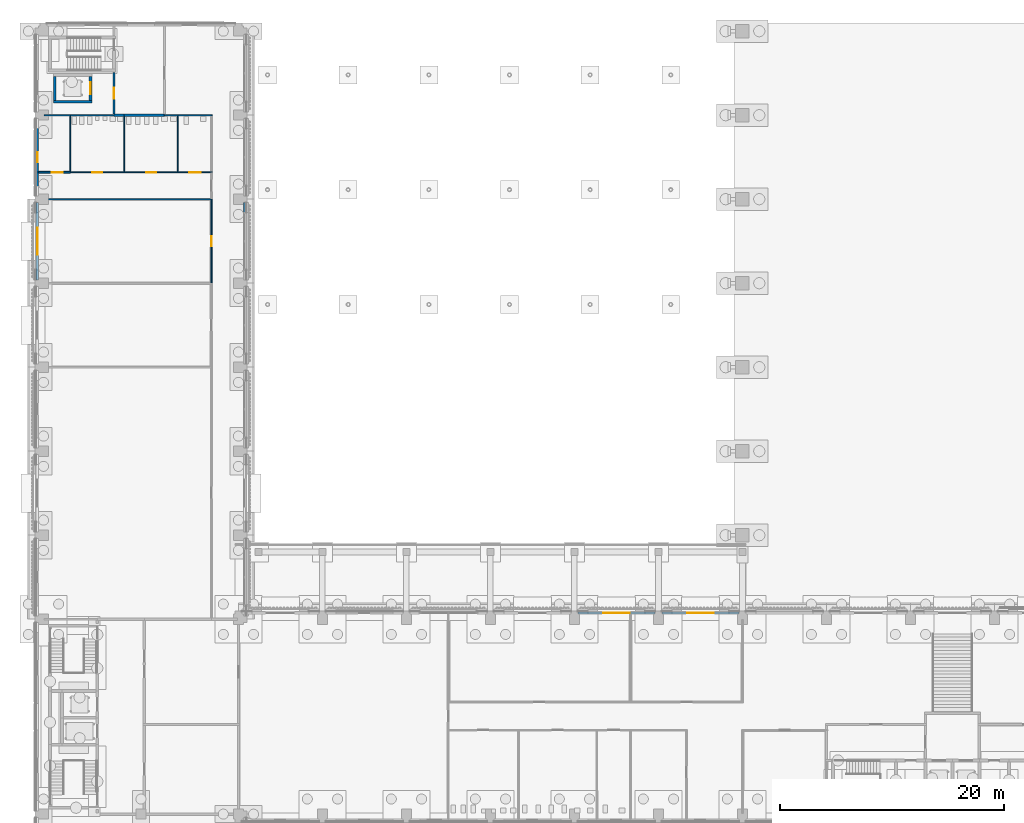
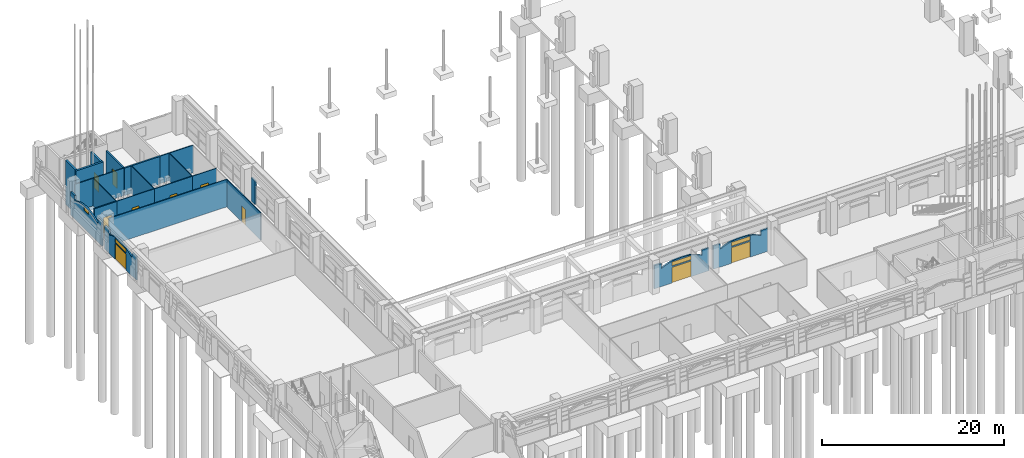
# One storey, part 38 of 99: 24 walls, 10 doors, 4 windows, 14 openings.
"""IFC4 building model written with IfcOpenShell, lengths in metres."""

from ifc_helpers import new_model, si_unit, direction, frame, frame_2d, origin, place, context, subcontext, project, spatial, polyline, rectangle, outline, extrude, material, layer, layer_set, type_object, element, fill, save


model = new_model("IFC4")

# Units and contexts
model_context = context("Model", 3, precision=1e-05, world=origin(), true_north=direction((0.0, 1.0)))
body_context = subcontext(model_context, "Body", "Model", "MODEL_VIEW")
ifc_project = project(units=[si_unit("LENGTHUNIT", "METRE"), si_unit("AREAUNIT", "SQUARE_METRE"), si_unit("VOLUMEUNIT", "CUBIC_METRE"), si_unit("PLANEANGLEUNIT", "RADIAN"), si_unit("MASSUNIT", "GRAM", prefix="KILO")], contexts=[model_context])

# Site, building, storey
site_placement = place(None, origin())
site = spatial("IfcSite", under=ifc_project, at=site_placement, CompositionType="ELEMENT")
building_placement = place(site_placement, origin())
building = spatial("IfcBuilding", under=site, at=building_placement, Name="Cour d'Honneur Mobility Palace", CompositionType="ELEMENT")
storey_placement = place(building_placement, origin())
storey = spatial("IfcBuildingStorey", under=building, at=storey_placement, Name="L00", CompositionType="ELEMENT", Elevation=0.0)

# Wall, openings, window, door
ifc_material_1 = material(Name="Concrete C40", Category="concrete")
ifc_layer_1 = layer(ifc_material_1, 0.199951171875)
ifc_layer_set_1 = layer_set([ifc_layer_1], Name="Concrete C40")
wall_type_1 = type_object("IfcWallType", Name="Arch infill panel", PredefinedType="SOLIDWALL", material=ifc_layer_set_1)
wall_1_placement = place(storey_placement, frame((62.10009765625, 62.949951171875, 0.0), z_axis=(0.0, 0.0, 1.0), x_axis=(-1.0, 0.0, 0.0)))
wall_1 = element("IfcWall", 1, at=wall_1_placement, inside=storey, type_object=wall_type_1, Name="Arch infill panel IP-75", PredefinedType="SOLIDWALL", context=body_context, shape_type="SweptSolid", body=[
    extrude(outline(polyline([(0.0, 0.0), (6.900146484375, 0.0), (6.89990234375, 3.10009765625), (6.001953125, 3.10009765625), (6.0, 2.39990234375), (5.68115234375, 2.560302734375), (5.362548828125, 2.69482421875), (5.043701171875, 2.805908203125), (4.72509765625, 2.895263671875), (4.40625, 2.96337890625), (4.08740234375, 3.01171875), (3.768798828125, 3.04052734375), (3.449951171875, 3.050048828125), (3.13134765625, 3.04052734375), (2.8125, 3.01171875), (2.49365234375, 2.96337890625), (2.175048828125, 2.895263671875), (1.856201171875, 2.805908203125), (1.53759765625, 2.69482421875), (1.21875, 2.560302734375), (0.89990234375, 2.39990234375), (0.89794921875, 3.10009765625), (0.0, 3.10009765625), (0.0, 0.0)])), frame((0.0, 0.10009765625, 0.0), z_axis=(0.0, -1.0, 0.0), x_axis=(1.0, 0.0, 0.0)), (0.0, 0.0, 1.0), 0.199951171875),
])
opening_1_placement = place(wall_1_placement, frame((2.25, 0.0, 0.0)))
opening_1 = element("IfcOpeningElement", 2, at=opening_1_placement, cuts=wall_1, Name="Opening D2-4", PredefinedType="OPENING", context=body_context, shape_type="SweptSolid", body=[
    extrude(rectangle(XDim=2.39990234375, YDim=2.10009765625, at=frame_2d((1.199951171875, 1.050048828125))), frame((0.0, 0.10986328125, 0.0), z_axis=(0.0, -1.0, 0.0), x_axis=(1.0, 0.0, 0.0)), (0.0, 0.0, 1.0), 0.219970703125),
])
opening_2_placement = place(wall_1_placement, frame((2.25, 0.0, 2.25)))
opening_2 = element("IfcOpeningElement", 3, at=opening_2_placement, cuts=wall_1, Name="Opening WO-8", PredefinedType="OPENING", context=body_context, shape_type="SweptSolid", body=[
    extrude(rectangle(XDim=2.39990234375, YDim=0.56298828125, at=frame_2d((1.199951171875, 0.281494140625))), frame((0.0, 0.10986328125, 0.0), z_axis=(0.0, -1.0, 0.0), x_axis=(1.0, 0.0, 0.0)), (0.0, 0.0, 1.0), 0.219970703125),
])
ifc_material_2 = material(Name="Aluminium frame and glass", Category="aluminium")
window_type_1 = type_object("IfcWindowType", Name="Overlight", PartitioningType="SINGLE_PANEL", PredefinedType="WINDOW", material=ifc_material_2)
window_1_placement = place(opening_2_placement, origin())
window_1 = element("IfcWindow", 4, at=window_1_placement, inside=storey, type_object=window_type_1, Name="Overlight WO-8", OverallHeight=0.56298828125, OverallWidth=2.39990234375, PartitioningType="SINGLE_PANEL", PredefinedType="WINDOW", context=body_context, shape_type="SweptSolid", body=[
    extrude(rectangle(XDim=2.39990234375, YDim=0.56298828125, at=frame_2d((1.199951171875, 0.281494140625))), frame((0.0, 0.030029296875, 0.0), z_axis=(0.0, -1.0, 0.0), x_axis=(1.0, 0.0, 0.0)), (0.0, 0.0, 1.0), 0.06005859375),
])
fill(opening_2, window_1)
ifc_material_3 = material(Name="Aluminium frame and glass", Category="aluminium")
door_type_1 = type_object("IfcDoorType", Name="Sliding entrance door 2400", OperationType="DOUBLE_DOOR_SLIDING", PredefinedType="DOOR", material=ifc_material_3)
door_1_placement = place(opening_1_placement, frame((2.39990234375, 0.0, 0.0), z_axis=(0.0, 0.0, 1.0), x_axis=(-1.0, 0.0, 0.0)))
door_1 = element("IfcDoor", 5, at=door_1_placement, inside=storey, type_object=door_type_1, Name="Sliding entrance door 2400 D2-4", OperationType="DOUBLE_DOOR_SLIDING", OverallHeight=2.10009765625, OverallWidth=2.39990234375, PredefinedType="DOOR", context=body_context, shape_type="SweptSolid", body=[
    extrude(rectangle(XDim=2.39990234375, YDim=2.10009765625, at=frame_2d((1.199951171875, 1.050048828125))), frame((0.0, 0.02490234375, 0.0), z_axis=(0.0, -1.0, 0.0), x_axis=(1.0, 0.0, 0.0)), (0.0, 0.0, 1.0), 0.050048828125),
])
fill(opening_1, door_1)

wall_2_placement = place(storey_placement, frame((54.60009765625, 62.949951171875, 0.0), z_axis=(0.0, 0.0, 1.0), x_axis=(-1.0, 0.0, 0.0)))
wall_2 = element("IfcWall", 6, at=wall_2_placement, inside=storey, type_object=wall_type_1, Name="Arch infill panel IP-76", PredefinedType="SOLIDWALL", context=body_context, shape_type="SweptSolid", body=[
    extrude(outline(polyline([(0.0, 0.0), (6.900146484375, 0.0), (6.89990234375, 3.10009765625), (6.001953125, 3.10009765625), (6.0, 2.39990234375), (5.68115234375, 2.560302734375), (5.362548828125, 2.69482421875), (5.043701171875, 2.805908203125), (4.72509765625, 2.895263671875), (4.40625, 2.96337890625), (4.08740234375, 3.01171875), (3.768798828125, 3.04052734375), (3.449951171875, 3.050048828125), (3.13134765625, 3.04052734375), (2.8125, 3.01171875), (2.49365234375, 2.96337890625), (2.175048828125, 2.895263671875), (1.856201171875, 2.805908203125), (1.53759765625, 2.69482421875), (1.21875, 2.560302734375), (0.89990234375, 2.39990234375), (0.89794921875, 3.10009765625), (0.0, 3.10009765625), (0.0, 0.0)])), frame((0.0, 0.10009765625, 0.0), z_axis=(0.0, -1.0, 0.0), x_axis=(1.0, 0.0, 0.0)), (0.0, 0.0, 1.0), 0.199951171875),
])
opening_3_placement = place(wall_2_placement, frame((2.25, 0.0, 0.0)))
opening_3 = element("IfcOpeningElement", 7, at=opening_3_placement, cuts=wall_2, Name="Opening D2-5", PredefinedType="OPENING", context=body_context, shape_type="SweptSolid", body=[
    extrude(rectangle(XDim=2.39990234375, YDim=2.10009765625, at=frame_2d((1.199951171875, 1.050048828125))), frame((0.0, 0.10986328125, 0.0), z_axis=(0.0, -1.0, 0.0), x_axis=(1.0, 0.0, 0.0)), (0.0, 0.0, 1.0), 0.219970703125),
])
opening_4_placement = place(wall_2_placement, frame((2.25, 0.0, 2.25)))
opening_4 = element("IfcOpeningElement", 8, at=opening_4_placement, cuts=wall_2, Name="Opening WO-9", PredefinedType="OPENING", context=body_context, shape_type="SweptSolid", body=[
    extrude(rectangle(XDim=2.39990234375, YDim=0.56298828125, at=frame_2d((1.199951171875, 0.281494140625))), frame((0.0, 0.10986328125, 0.0), z_axis=(0.0, -1.0, 0.0), x_axis=(1.0, 0.0, 0.0)), (0.0, 0.0, 1.0), 0.219970703125),
])
window_2_placement = place(opening_4_placement, origin())
window_2 = element("IfcWindow", 9, at=window_2_placement, inside=storey, type_object=window_type_1, Name="Overlight WO-9", OverallHeight=0.56298828125, OverallWidth=2.39990234375, PartitioningType="SINGLE_PANEL", PredefinedType="WINDOW", context=body_context, shape_type="SweptSolid", body=[
    extrude(rectangle(XDim=2.39990234375, YDim=0.56298828125, at=frame_2d((1.199951171875, 0.281494140625))), frame((0.0, 0.030029296875, 0.0), z_axis=(0.0, -1.0, 0.0), x_axis=(1.0, 0.0, 0.0)), (0.0, 0.0, 1.0), 0.06005859375),
])
fill(opening_4, window_2)
door_2_placement = place(opening_3_placement, frame((2.39990234375, 0.0, 0.0), z_axis=(0.0, 0.0, 1.0), x_axis=(-1.0, 0.0, 0.0)))
door_2 = element("IfcDoor", 10, at=door_2_placement, inside=storey, type_object=door_type_1, Name="Sliding entrance door 2400 D2-5", OperationType="DOUBLE_DOOR_SLIDING", OverallHeight=2.10009765625, OverallWidth=2.39990234375, PredefinedType="DOOR", context=body_context, shape_type="SweptSolid", body=[
    extrude(rectangle(XDim=2.39990234375, YDim=2.10009765625, at=frame_2d((1.199951171875, 1.050048828125))), frame((0.0, 0.02490234375, 0.0), z_axis=(0.0, -1.0, 0.0), x_axis=(1.0, 0.0, 0.0)), (0.0, 0.0, 1.0), 0.050048828125),
])
fill(opening_3, door_2)

# Wall
wall_3_placement = place(storey_placement, frame((17.949951171875, 98.699951171875, 0.0), z_axis=(0.0, 0.0, 1.0), x_axis=(0.0, 1.0, 0.0)))
element("IfcWall", 11, at=wall_3_placement, inside=storey, type_object=wall_type_1, Name="Arch infill panel IP-90", PredefinedType="SOLIDWALL", context=body_context, shape_type="SweptSolid", body=[
    extrude(rectangle(XDim=0.900146484375, YDim=0.199951171875, at=frame_2d((0.4501953125, 0.0))), origin(), (0.0, 0.0, 1.0), 3.10009765625),
])

# Wall, opening, window
wall_4_placement = place(storey_placement, frame((-0.550048828125, 107.10009765625, 0.0), z_axis=(0.0, 0.0, 1.0), x_axis=(0.0, -1.0, 0.0)))
wall_4 = element("IfcWall", 12, at=wall_4_placement, inside=storey, type_object=wall_type_1, Name="Arch infill panel IP-98", PredefinedType="SOLIDWALL", context=body_context, shape_type="SweptSolid", body=[
    extrude(outline(polyline([(0.0, 0.0), (6.900146484375, 0.0), (6.89990234375, 3.10009765625), (6.001953125, 3.10009765625), (6.0, 2.39990234375), (5.68115234375, 2.560302734375), (5.362548828125, 2.69482421875), (5.043701171875, 2.805908203125), (4.72509765625, 2.895263671875), (4.40625, 2.96337890625), (4.08740234375, 3.01171875), (3.768798828125, 3.04052734375), (3.449951171875, 3.050048828125), (3.13134765625, 3.04052734375), (2.8125, 3.01171875), (2.49365234375, 2.96337890625), (2.175048828125, 2.895263671875), (1.856201171875, 2.805908203125), (1.53759765625, 2.69482421875), (1.21875, 2.560302734375), (0.89990234375, 2.39990234375), (0.89794921875, 3.10009765625), (0.0, 3.10009765625), (0.0, 0.0)])), frame((0.0, 0.10009765625, 0.0), z_axis=(0.0, -1.0, 0.0), x_axis=(1.0, 0.0, 0.0)), (0.0, 0.0, 1.0), 0.199951171875),
])
opening_5_placement = place(wall_4_placement, frame((3.0, 0.0, 2.39990234375)))
opening_5 = element("IfcOpeningElement", 13, at=opening_5_placement, cuts=wall_4, Name="Opening WH-36", PredefinedType="OPENING", context=body_context, shape_type="SweptSolid", body=[
    extrude(rectangle(XDim=0.89990234375, YDim=0.531005859375, at=frame_2d((0.449951171875, 0.265625))), frame((0.0, 0.10986328125, 0.0), z_axis=(0.0, -1.0, 0.0), x_axis=(1.0, 0.0, 0.0)), (0.0, 0.0, 1.0), 0.219970703125),
])
ifc_material_4 = material(Name="Aluminium frame and glass", Category="aluminium")
window_type_2 = type_object("IfcWindowType", Name="High-level window 531", PartitioningType="SINGLE_PANEL", PredefinedType="WINDOW", material=ifc_material_4)
window_3_placement = place(opening_5_placement, origin())
window_3 = element("IfcWindow", 14, at=window_3_placement, inside=storey, type_object=window_type_2, Name="High-level window 531 WH-36", OverallHeight=0.531005859375, OverallWidth=0.89990234375, PartitioningType="SINGLE_PANEL", PredefinedType="WINDOW", context=body_context, shape_type="SweptSolid", body=[
    extrude(rectangle(XDim=0.89990234375, YDim=0.531005859375, at=frame_2d((0.449951171875, 0.265625))), frame((0.0, 0.030029296875, 0.0), z_axis=(0.0, -1.0, 0.0), x_axis=(1.0, 0.0, 0.0)), (0.0, 0.0, 1.0), 0.06005859375),
])
fill(opening_5, window_3)

# Wall, openings, door, window
wall_5_placement = place(storey_placement, frame((-0.550048828125, 99.60009765625, 0.0), z_axis=(0.0, 0.0, 1.0), x_axis=(0.0, -1.0, 0.0)))
wall_5 = element("IfcWall", 15, at=wall_5_placement, inside=storey, type_object=wall_type_1, Name="Arch infill panel IP-99", PredefinedType="SOLIDWALL", context=body_context, shape_type="SweptSolid", body=[
    extrude(outline(polyline([(0.0, 0.0), (6.900146484375, 0.0), (6.89990234375, 3.10009765625), (6.001953125, 3.10009765625), (6.0, 2.39990234375), (5.68115234375, 2.560302734375), (5.362548828125, 2.69482421875), (5.043701171875, 2.805908203125), (4.72509765625, 2.895263671875), (4.40625, 2.96337890625), (4.08740234375, 3.01171875), (3.768798828125, 3.04052734375), (3.449951171875, 3.050048828125), (3.13134765625, 3.04052734375), (2.8125, 3.01171875), (2.49365234375, 2.96337890625), (2.175048828125, 2.895263671875), (1.856201171875, 2.805908203125), (1.53759765625, 2.69482421875), (1.21875, 2.560302734375), (0.89990234375, 2.39990234375), (0.89794921875, 3.10009765625), (0.0, 3.10009765625), (0.0, 0.0)])), frame((0.0, 0.10009765625, 0.0), z_axis=(0.0, -1.0, 0.0), x_axis=(1.0, 0.0, 0.0)), (0.0, 0.0, 1.0), 0.199951171875),
])
opening_6_placement = place(wall_5_placement, frame((2.25, 0.0, 0.0)))
opening_6 = element("IfcOpeningElement", 16, at=opening_6_placement, cuts=wall_5, Name="Opening D1-8", PredefinedType="OPENING", context=body_context, shape_type="SweptSolid", body=[
    extrude(rectangle(XDim=2.39990234375, YDim=2.10009765625, at=frame_2d((1.199951171875, 1.050048828125))), frame((0.0, 0.10986328125, 0.0), z_axis=(0.0, -1.0, 0.0), x_axis=(1.0, 0.0, 0.0)), (0.0, 0.0, 1.0), 0.219970703125),
])
opening_7_placement = place(wall_5_placement, frame((2.25, 0.0, 2.25)))
opening_7 = element("IfcOpeningElement", 17, at=opening_7_placement, cuts=wall_5, Name="Opening WO-13", PredefinedType="OPENING", context=body_context, shape_type="SweptSolid", body=[
    extrude(rectangle(XDim=2.39990234375, YDim=0.56298828125, at=frame_2d((1.199951171875, 0.281494140625))), frame((0.0, 0.10986328125, 0.0), z_axis=(0.0, -1.0, 0.0), x_axis=(1.0, 0.0, 0.0)), (0.0, 0.0, 1.0), 0.219970703125),
])
ifc_material_5 = material(Name="Aluminium frame and glass", Category="aluminium")
door_type_2 = type_object("IfcDoorType", Name="Entrance double door 2400", OperationType="DOUBLE_DOOR_SINGLE_SWING", PredefinedType="DOOR", material=ifc_material_5)
door_3_placement = place(opening_6_placement, frame((2.39990234375, 0.0, 0.0), z_axis=(0.0, 0.0, 1.0), x_axis=(-1.0, 0.0, 0.0)))
door_3 = element("IfcDoor", 18, at=door_3_placement, inside=storey, type_object=door_type_2, Name="Entrance double door 2400 D1-8", OperationType="SINGLE_SWING_LEFT", OverallHeight=2.10009765625, OverallWidth=2.39990234375, PredefinedType="DOOR", context=body_context, shape_type="SweptSolid", body=[
    extrude(rectangle(XDim=2.39990234375, YDim=2.10009765625, at=frame_2d((1.199951171875, 1.050048828125))), frame((0.0, 0.02490234375, 0.0), z_axis=(0.0, -1.0, 0.0), x_axis=(1.0, 0.0, 0.0)), (0.0, 0.0, 1.0), 0.050048828125),
])
fill(opening_6, door_3)
window_4_placement = place(opening_7_placement, origin())
window_4 = element("IfcWindow", 19, at=window_4_placement, inside=storey, type_object=window_type_1, Name="Overlight WO-13", OverallHeight=0.56298828125, OverallWidth=2.39990234375, PartitioningType="SINGLE_PANEL", PredefinedType="WINDOW", context=body_context, shape_type="SweptSolid", body=[
    extrude(rectangle(XDim=2.39990234375, YDim=0.56298828125, at=frame_2d((1.199951171875, 0.281494140625))), frame((0.0, 0.030029296875, 0.0), z_axis=(0.0, -1.0, 0.0), x_axis=(1.0, 0.0, 0.0)), (0.0, 0.0, 1.0), 0.06005859375),
])
fill(opening_7, window_4)

# Walls
ifc_material_6 = material(Name="Concrete C50", Category="concrete")
ifc_layer_2 = layer(ifc_material_6, 0.25)
ifc_layer_set_2 = layer_set([ifc_layer_2], Name="Concrete C50")
wall_type_2 = type_object("IfcWallType", Name="Lift shaft wall 250", PredefinedType="SHEAR", material=ifc_layer_set_2)
wall_6_placement = place(storey_placement, frame((0.875, 108.60009765625, -1.39990234375), z_axis=(0.0, 0.0, 1.0), x_axis=(1.0, 0.0, 0.0)))
element("IfcWall", 20, at=wall_6_placement, inside=storey, type_object=wall_type_2, Name="Lift shaft wall WL-NW1 L00", PredefinedType="SHEAR", context=body_context, shape_type="SweptSolid", body=[
    extrude(rectangle(XDim=3.449951171875, YDim=0.25, at=frame_2d((1.72509765625, 0.0))), origin(), (0.0, 0.0, 1.0), 5.89990234375),
])
wall_7_placement = place(storey_placement, frame((1.0, 108.72509765625, -1.39990234375), z_axis=(0.0, 0.0, 1.0), x_axis=(0.0, 1.0, 0.0)))
element("IfcWall", 21, at=wall_7_placement, inside=storey, type_object=wall_type_2, Name="Lift shaft wall WL-NW6 L00", PredefinedType="SHEAR", context=body_context, shape_type="SweptSolid", body=[
    extrude(rectangle(XDim=2.14990234375, YDim=0.25, at=frame_2d((1.074951171875, 0.0))), origin(), (0.0, 0.0, 1.0), 5.89990234375),
])

# Wall, opening, door
wall_8_placement = place(storey_placement, frame((4.199951171875, 108.72509765625, -1.39990234375), z_axis=(0.0, 0.0, 1.0), x_axis=(0.0, 1.0, 0.0)))
wall_8 = element("IfcWall", 22, at=wall_8_placement, inside=storey, type_object=wall_type_2, Name="Lift shaft wall WL-NW7 L00", PredefinedType="SHEAR", context=body_context, shape_type="SweptSolid", body=[
    extrude(rectangle(XDim=2.14990234375, YDim=0.25, at=frame_2d((1.074951171875, 0.0))), origin(), (0.0, 0.0, 1.0), 5.89990234375),
])
opening_8_placement = place(wall_8_placement, frame((0.52490234375, 0.0, 1.39990234375)))
opening_8 = element("IfcOpeningElement", 23, at=opening_8_placement, cuts=wall_8, Name="Opening LD53", PredefinedType="OPENING", context=body_context, shape_type="SweptSolid", body=[
    extrude(rectangle(XDim=1.10009765625, YDim=2.10009765625, at=frame_2d((0.550048828125, 1.050048828125))), frame((0.0, 0.135009765625, 0.0), z_axis=(0.0, -1.0, 0.0), x_axis=(1.0, 0.0, 0.0)), (0.0, 0.0, 1.0), 0.27001953125),
])
ifc_material_7 = material(Name="Stainless steel", Category="steel")
door_type_3 = type_object("IfcDoorType", Name="Landing door 1100 x 2100", OperationType="SLIDING_TO_LEFT", PredefinedType="DOOR", material=ifc_material_7)
door_4_placement = place(opening_8_placement, origin())
door_4 = element("IfcDoor", 24, at=door_4_placement, inside=storey, type_object=door_type_3, Name="Landing door LF-NW1 L00", OperationType="SLIDING_TO_LEFT", OverallHeight=2.10009765625, OverallWidth=1.10009765625, PredefinedType="DOOR", context=body_context, shape_type="SweptSolid", body=[
    extrude(rectangle(XDim=1.10009765625, YDim=2.10009765625, at=frame_2d((0.550048828125, 1.050048828125))), frame((0.0, 0.02490234375, 0.0), z_axis=(0.0, -1.0, 0.0), x_axis=(1.0, 0.0, 0.0)), (0.0, 0.0, 1.0), 0.050048828125),
])
fill(opening_8, door_4)

ifc_material_8 = material(Name="Concrete C50", Category="concrete")
ifc_layer_3 = layer(ifc_material_8, 0.199951171875)
ifc_layer_set_3 = layer_set([ifc_layer_3], Name="Concrete C50")
wall_type_3 = type_object("IfcWallType", Name="Load-bearing lobby wall 200 rated EI 120", PredefinedType="PARTITIONING", material=ifc_layer_set_3)
wall_9_placement = place(storey_placement, frame((6.300048828125, 111.22509765625, 0.0), z_axis=(0.0, 0.0, 1.0), x_axis=(0.0, -1.0, 0.0)))
wall_9 = element("IfcWall", 25, at=wall_9_placement, inside=storey, type_object=wall_type_3, Name="Partition 143", PredefinedType="PARTITIONING", context=body_context, shape_type="SweptSolid", body=[
    extrude(rectangle(XDim=3.72509765625, YDim=0.199951171875, at=frame_2d((1.862548828125, 0.0))), origin(), (0.0, 0.0, 1.0), 3.679931640625),
])
opening_9_placement = place(wall_9_placement, frame((1.362548828125, 0.0, 0.0)))
opening_9 = element("IfcOpeningElement", 26, at=opening_9_placement, cuts=wall_9, Name="Opening D0053", PredefinedType="OPENING", context=body_context, shape_type="SweptSolid", body=[
    extrude(rectangle(XDim=1.0, YDim=2.10009765625, at=frame_2d((0.5, 1.050048828125))), frame((0.0, 0.10986328125, 0.0), z_axis=(0.0, -1.0, 0.0), x_axis=(1.0, 0.0, 0.0)), (0.0, 0.0, 1.0), 0.219970703125),
])
ifc_material_9 = material(Name="Galvanised steel", Category="steel")
door_type_4 = type_object("IfcDoorType", Name="Fire door FD120 1000 x 2100", OperationType="SINGLE_SWING_LEFT", PredefinedType="DOOR", material=ifc_material_9)
door_5_placement = place(opening_9_placement, origin())
door_5 = element("IfcDoor", 27, at=door_5_placement, inside=storey, type_object=door_type_4, Name="Door Lift Lobby", OperationType="SINGLE_SWING_RIGHT", OverallHeight=2.10009765625, OverallWidth=1.0, PredefinedType="DOOR", context=body_context, shape_type="SweptSolid", body=[
    extrude(rectangle(XDim=1.0, YDim=2.10009765625, at=frame_2d((0.5, 1.050048828125))), frame((0.0, 0.02490234375, 0.0), z_axis=(0.0, -1.0, 0.0), x_axis=(1.0, 0.0, 0.0)), (0.0, 0.0, 1.0), 0.050048828125),
])
fill(opening_9, door_5)

ifc_material_10 = material(Name="Gypsum plasterboard")
ifc_layer_4 = layer(ifc_material_10, 0.10009765625)
ifc_layer_set_4 = layer_set([ifc_layer_4], Name="Gypsum plasterboard")
wall_type_4 = type_object("IfcWallType", Name="Partition 100", PredefinedType="PARTITIONING", material=ifc_layer_set_4)
wall_10_placement = place(storey_placement, frame((15.0, 92.449951171875, 0.0), z_axis=(0.0, 0.0, 1.0), x_axis=(0.0, 1.0, 0.0)))
wall_10 = element("IfcWall", 28, at=wall_10_placement, inside=storey, type_object=wall_type_4, Name="Partition 105", PredefinedType="PARTITIONING", context=body_context, shape_type="SweptSolid", body=[
    extrude(rectangle(XDim=7.400146484375, YDim=0.10009765625, at=frame_2d((3.7001953125, 0.0))), origin(), (0.0, 0.0, 1.0), 3.679931640625),
])
opening_10_placement = place(wall_10_placement, frame((3.25, 0.0, 0.0)))
opening_10 = element("IfcOpeningElement", 29, at=opening_10_placement, cuts=wall_10, Name="Opening D0034", PredefinedType="OPENING", context=body_context, shape_type="SweptSolid", body=[
    extrude(rectangle(XDim=0.89990234375, YDim=2.10009765625, at=frame_2d((0.449951171875, 1.050048828125))), frame((0.0, 0.06005859375, 0.0), z_axis=(0.0, -1.0, 0.0), x_axis=(1.0, 0.0, 0.0)), (0.0, 0.0, 1.0), 0.1201171875),
])
ifc_material_11 = material(Name="Solid timber", Category="wood")
door_type_5 = type_object("IfcDoorType", Name="Single door 900 x 2100", OperationType="SINGLE_SWING_LEFT", PredefinedType="DOOR", material=ifc_material_11)
door_6_placement = place(opening_10_placement, origin())
door_6 = element("IfcDoor", 30, at=door_6_placement, inside=storey, type_object=door_type_5, Name="Door Shared-Mobility Station", OperationType="SINGLE_SWING_RIGHT", OverallHeight=2.10009765625, OverallWidth=0.89990234375, PredefinedType="DOOR", context=body_context, shape_type="SweptSolid", body=[
    extrude(rectangle(XDim=0.89990234375, YDim=2.10009765625, at=frame_2d((0.449951171875, 1.050048828125))), frame((0.0, 0.02490234375, 0.0), z_axis=(0.0, -1.0, 0.0), x_axis=(1.0, 0.0, 0.0)), (0.0, 0.0, 1.0), 0.050048828125),
])
fill(opening_10, door_6)

# Walls
wall_11_placement = place(storey_placement, frame((15.050048828125, 99.89990234375, 0.0), z_axis=(0.0, 0.0, 1.0), x_axis=(-1.0, 0.0, 0.0)))
element("IfcWall", 31, at=wall_11_placement, inside=storey, type_object=wall_type_4, Name="Partition 108", PredefinedType="PARTITIONING", context=body_context, shape_type="SweptSolid", body=[
    extrude(rectangle(XDim=14.989990234375, YDim=0.10009765625, at=frame_2d((7.4951171875, 0.0))), origin(), (0.0, 0.0, 1.0), 3.679931640625),
])
wall_12_placement = place(storey_placement, frame((2.39990234375, 102.375, 0.0), z_axis=(0.0, 0.0, 1.0), x_axis=(0.0, 1.0, 0.0)))
element("IfcWall", 32, at=wall_12_placement, inside=storey, type_object=wall_type_4, Name="Partition 113", PredefinedType="PARTITIONING", context=body_context, shape_type="SweptSolid", body=[
    extrude(rectangle(XDim=4.97509765625, YDim=0.10009765625, at=frame_2d((2.487548828125, 0.0))), origin(), (0.0, 0.0, 1.0), 3.679931640625),
])

# Wall, opening, door
wall_13_placement = place(storey_placement, frame((7.199951171875, 102.300048828125, 0.0), z_axis=(0.0, 0.0, 1.0), x_axis=(-1.0, 0.0, 0.0)))
wall_13 = element("IfcWall", 33, at=wall_13_placement, inside=storey, type_object=wall_type_4, Name="Partition 114", PredefinedType="PARTITIONING", context=body_context, shape_type="SweptSolid", body=[
    extrude(rectangle(XDim=4.800048828125, YDim=0.10009765625, at=frame_2d((2.39990234375, 0.0))), origin(), (0.0, 0.0, 1.0), 3.679931640625),
])
opening_11_placement = place(wall_13_placement, frame((1.949951171875, 0.0, 0.0)))
opening_11 = element("IfcOpeningElement", 34, at=opening_11_placement, cuts=wall_13, Name="Opening D0037", PredefinedType="OPENING", context=body_context, shape_type="SweptSolid", body=[
    extrude(rectangle(XDim=0.89990234375, YDim=2.10009765625, at=frame_2d((0.449951171875, 1.050048828125))), frame((0.0, 0.06005859375, 0.0), z_axis=(0.0, -1.0, 0.0), x_axis=(1.0, 0.0, 0.0)), (0.0, 0.0, 1.0), 0.1201171875),
])
door_7_placement = place(opening_11_placement, origin())
door_7 = element("IfcDoor", 35, at=door_7_placement, inside=storey, type_object=door_type_5, Name="Door WC Men West", OperationType="SINGLE_SWING_LEFT", OverallHeight=2.10009765625, OverallWidth=0.89990234375, PredefinedType="DOOR", context=body_context, shape_type="SweptSolid", body=[
    extrude(rectangle(XDim=0.89990234375, YDim=2.10009765625, at=frame_2d((0.449951171875, 1.050048828125))), frame((0.0, 0.02490234375, 0.0), z_axis=(0.0, -1.0, 0.0), x_axis=(1.0, 0.0, 0.0)), (0.0, 0.0, 1.0), 0.050048828125),
])
fill(opening_11, door_7)

# Wall
wall_14_placement = place(storey_placement, frame((7.199951171875, 102.35009765625, 0.0), z_axis=(0.0, 0.0, 1.0), x_axis=(0.0, 1.0, 0.0)))
element("IfcWall", 36, at=wall_14_placement, inside=storey, type_object=wall_type_4, Name="Partition 115", PredefinedType="PARTITIONING", context=body_context, shape_type="SweptSolid", body=[
    extrude(rectangle(XDim=4.949951171875, YDim=0.10009765625, at=frame_2d((2.47509765625, 0.0))), origin(), (0.0, 0.0, 1.0), 3.679931640625),
])

# Wall, opening, door
wall_15_placement = place(storey_placement, frame((12.0, 102.300048828125, 0.0), z_axis=(0.0, 0.0, 1.0), x_axis=(-1.0, 0.0, 0.0)))
wall_15 = element("IfcWall", 37, at=wall_15_placement, inside=storey, type_object=wall_type_4, Name="Partition 116", PredefinedType="PARTITIONING", context=body_context, shape_type="SweptSolid", body=[
    extrude(rectangle(XDim=4.800048828125, YDim=0.10009765625, at=frame_2d((2.39990234375, 0.0))), origin(), (0.0, 0.0, 1.0), 3.679931640625),
])
opening_12_placement = place(wall_15_placement, frame((1.949951171875, 0.0, 0.0)))
opening_12 = element("IfcOpeningElement", 38, at=opening_12_placement, cuts=wall_15, Name="Opening D0038", PredefinedType="OPENING", context=body_context, shape_type="SweptSolid", body=[
    extrude(rectangle(XDim=0.89990234375, YDim=2.10009765625, at=frame_2d((0.449951171875, 1.050048828125))), frame((0.0, 0.06005859375, 0.0), z_axis=(0.0, -1.0, 0.0), x_axis=(1.0, 0.0, 0.0)), (0.0, 0.0, 1.0), 0.1201171875),
])
door_8_placement = place(opening_12_placement, origin())
door_8 = element("IfcDoor", 39, at=door_8_placement, inside=storey, type_object=door_type_5, Name="Door WC Women West", OperationType="SINGLE_SWING_LEFT", OverallHeight=2.10009765625, OverallWidth=0.89990234375, PredefinedType="DOOR", context=body_context, shape_type="SweptSolid", body=[
    extrude(rectangle(XDim=0.89990234375, YDim=2.10009765625, at=frame_2d((0.449951171875, 1.050048828125))), frame((0.0, 0.02490234375, 0.0), z_axis=(0.0, -1.0, 0.0), x_axis=(1.0, 0.0, 0.0)), (0.0, 0.0, 1.0), 0.050048828125),
])
fill(opening_12, door_8)

# Wall
wall_16_placement = place(storey_placement, frame((12.0, 102.35009765625, 0.0), z_axis=(0.0, 0.0, 1.0), x_axis=(0.0, 1.0, 0.0)))
element("IfcWall", 40, at=wall_16_placement, inside=storey, type_object=wall_type_4, Name="Partition 117", PredefinedType="PARTITIONING", context=body_context, shape_type="SweptSolid", body=[
    extrude(rectangle(XDim=5.0, YDim=0.10009765625, at=frame_2d((2.5, 0.0))), origin(), (0.0, 0.0, 1.0), 3.679931640625),
])

# Wall, opening, door
wall_17_placement = place(storey_placement, frame((15.050048828125, 102.300048828125, 0.0), z_axis=(0.0, 0.0, 1.0), x_axis=(-1.0, 0.0, 0.0)))
wall_17 = element("IfcWall", 41, at=wall_17_placement, inside=storey, type_object=wall_type_4, Name="Partition 118", PredefinedType="PARTITIONING", context=body_context, shape_type="SweptSolid", body=[
    extrude(rectangle(XDim=3.050048828125, YDim=0.10009765625, at=frame_2d((1.52490234375, 0.0))), origin(), (0.0, 0.0, 1.0), 3.679931640625),
])
opening_13_placement = place(wall_17_placement, frame((1.02490234375, 0.0, 0.0)))
opening_13 = element("IfcOpeningElement", 42, at=opening_13_placement, cuts=wall_17, Name="Opening D0039", PredefinedType="OPENING", context=body_context, shape_type="SweptSolid", body=[
    extrude(rectangle(XDim=1.0, YDim=2.10009765625, at=frame_2d((0.5, 1.050048828125))), frame((0.0, 0.06005859375, 0.0), z_axis=(0.0, -1.0, 0.0), x_axis=(1.0, 0.0, 0.0)), (0.0, 0.0, 1.0), 0.1201171875),
])
ifc_material_12 = material(Name="Solid timber", Category="wood")
door_type_6 = type_object("IfcDoorType", Name="Accessible door 1000 x 2100", OperationType="SINGLE_SWING_LEFT", PredefinedType="DOOR", material=ifc_material_12)
door_9_placement = place(opening_13_placement, origin())
door_9 = element("IfcDoor", 43, at=door_9_placement, inside=storey, type_object=door_type_6, Name="Door Accessible WC West", OperationType="SINGLE_SWING_LEFT", OverallHeight=2.10009765625, OverallWidth=1.0, PredefinedType="DOOR", context=body_context, shape_type="SweptSolid", body=[
    extrude(rectangle(XDim=1.0, YDim=2.10009765625, at=frame_2d((0.5, 1.050048828125))), frame((0.0, 0.02490234375, 0.0), z_axis=(0.0, -1.0, 0.0), x_axis=(1.0, 0.0, 0.0)), (0.0, 0.0, 1.0), 0.050048828125),
])
fill(opening_13, door_9)

# Walls
wall_18_placement = place(storey_placement, frame((2.39990234375, 107.39990234375, 0.0), z_axis=(0.0, 0.0, 1.0), x_axis=(-1.0, 0.0, 0.0)))
element("IfcWall", 44, at=wall_18_placement, inside=storey, type_object=wall_type_4, Name="Partition 125", PredefinedType="PARTITIONING", context=body_context, shape_type="SweptSolid", body=[
    extrude(rectangle(XDim=2.33984375, YDim=0.10009765625, at=frame_2d((1.169921875, 0.0))), origin(), (0.0, 0.0, 1.0), 3.679931640625),
])
wall_19_placement = place(storey_placement, frame((6.300048828125, 107.39990234375, 0.0), z_axis=(0.0, 0.0, 1.0), x_axis=(-1.0, 0.0, 0.0)))
element("IfcWall", 45, at=wall_19_placement, inside=storey, type_object=wall_type_4, Name="Partition 126", PredefinedType="PARTITIONING", context=body_context, shape_type="SweptSolid", body=[
    extrude(rectangle(XDim=3.900146484375, YDim=0.10009765625, at=frame_2d((1.9501953125, 0.0))), origin(), (0.0, 0.0, 1.0), 3.679931640625),
])
wall_20_placement = place(storey_placement, frame((12.0, 107.39990234375, 0.0), z_axis=(0.0, 0.0, 1.0), x_axis=(-1.0, 0.0, 0.0)))
element("IfcWall", 46, at=wall_20_placement, inside=storey, type_object=wall_type_4, Name="Partition 130", PredefinedType="PARTITIONING", context=body_context, shape_type="SweptSolid", body=[
    extrude(rectangle(XDim=1.199951171875, YDim=0.10009765625, at=frame_2d((0.60009765625, 0.0))), origin(), (0.0, 0.0, 1.0), 3.679931640625),
])
wall_21_placement = place(storey_placement, frame((15.050048828125, 107.39990234375, 0.0), z_axis=(0.0, 0.0, 1.0), x_axis=(-1.0, 0.0, 0.0)))
element("IfcWall", 47, at=wall_21_placement, inside=storey, type_object=wall_type_4, Name="Partition 131", PredefinedType="PARTITIONING", context=body_context, shape_type="SweptSolid", body=[
    extrude(rectangle(XDim=3.050048828125, YDim=0.10009765625, at=frame_2d((1.52490234375, 0.0))), origin(), (0.0, 0.0, 1.0), 3.679931640625),
])

# Wall, opening, door
ifc_material_13 = material(Name="Gypsum plasterboard")
ifc_layer_5 = layer(ifc_material_13, 0.14990234375)
ifc_layer_set_5 = layer_set([ifc_layer_5], Name="Gypsum plasterboard")
wall_type_5 = type_object("IfcWallType", Name="Partition 150 rated EI 60", PredefinedType="PARTITIONING", material=ifc_layer_set_5)
wall_22_placement = place(storey_placement, frame((2.39990234375, 102.300048828125, 0.0), z_axis=(0.0, 0.0, 1.0), x_axis=(-1.0, 0.0, 0.0)))
wall_22 = element("IfcWall", 48, at=wall_22_placement, inside=storey, type_object=wall_type_5, Name="Partition 112", PredefinedType="PARTITIONING", context=body_context, shape_type="SweptSolid", body=[
    extrude(rectangle(XDim=2.849853515625, YDim=0.14990234375, at=frame_2d((1.4248046875, 0.0))), origin(), (0.0, 0.0, 1.0), 3.679931640625),
])
opening_14_placement = place(wall_22_placement, frame((0.669921875, 0.0, 0.0)))
opening_14 = element("IfcOpeningElement", 49, at=opening_14_placement, cuts=wall_22, Name="Opening D0036", PredefinedType="OPENING", context=body_context, shape_type="SweptSolid", body=[
    extrude(rectangle(XDim=1.0, YDim=2.10009765625, at=frame_2d((0.5, 1.050048828125))), frame((0.0, 0.0849609375, 0.0), z_axis=(0.0, -1.0, 0.0), x_axis=(1.0, 0.0, 0.0)), (0.0, 0.0, 1.0), 0.169921875),
])
ifc_material_14 = material(Name="Galvanised steel", Category="steel")
door_type_7 = type_object("IfcDoorType", Name="Fire door FD60 1000 x 2100", OperationType="SINGLE_SWING_LEFT", PredefinedType="DOOR", material=ifc_material_14)
door_10_placement = place(opening_14_placement, origin())
door_10 = element("IfcDoor", 50, at=door_10_placement, inside=storey, type_object=door_type_7, Name="Door Cleaner's Store West", OperationType="SINGLE_SWING_LEFT", OverallHeight=2.10009765625, OverallWidth=1.0, PredefinedType="DOOR", context=body_context, shape_type="SweptSolid", body=[
    extrude(rectangle(XDim=1.0, YDim=2.10009765625, at=frame_2d((0.5, 1.050048828125))), frame((0.0, 0.02490234375, 0.0), z_axis=(0.0, -1.0, 0.0), x_axis=(1.0, 0.0, 0.0)), (0.0, 0.0, 1.0), 0.050048828125),
])
fill(opening_14, door_10)

# Walls
ifc_material_15 = material(Name="Gypsum plasterboard")
ifc_layer_6 = layer(ifc_material_15, 0.199951171875)
ifc_layer_set_6 = layer_set([ifc_layer_6], Name="Gypsum plasterboard")
wall_type_6 = type_object("IfcWallType", Name="Partition 200 rated EI 120", PredefinedType="PARTITIONING", material=ifc_layer_set_6)
wall_23_placement = place(storey_placement, frame((6.300048828125, 107.39990234375, 0.0), z_axis=(0.0, 0.0, 1.0), x_axis=(1.0, 0.0, 0.0)))
element("IfcWall", 51, at=wall_23_placement, inside=storey, type_object=wall_type_6, Name="Partition 127", PredefinedType="PARTITIONING", context=body_context, shape_type="SweptSolid", body=[
    extrude(rectangle(XDim=0.89990234375, YDim=0.199951171875, at=frame_2d((0.449951171875, 0.0))), origin(), (0.0, 0.0, 1.0), 3.679931640625),
])
wall_24_placement = place(storey_placement, frame((7.199951171875, 107.39990234375, 0.0), z_axis=(0.0, 0.0, 1.0), x_axis=(1.0, 0.0, 0.0)))
element("IfcWall", 52, at=wall_24_placement, inside=storey, type_object=wall_type_6, Name="Partition 128", PredefinedType="PARTITIONING", context=body_context, shape_type="SweptSolid", body=[
    extrude(rectangle(XDim=3.60009765625, YDim=0.199951171875, at=frame_2d((1.800048828125, 0.0))), origin(), (0.0, 0.0, 1.0), 3.679931640625),
])

save(model, "model.ifc")
